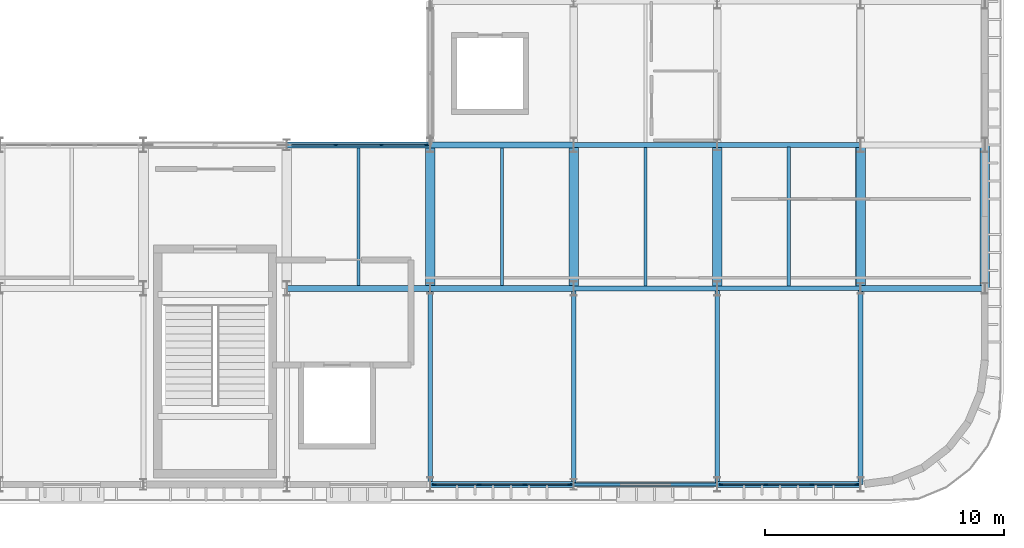
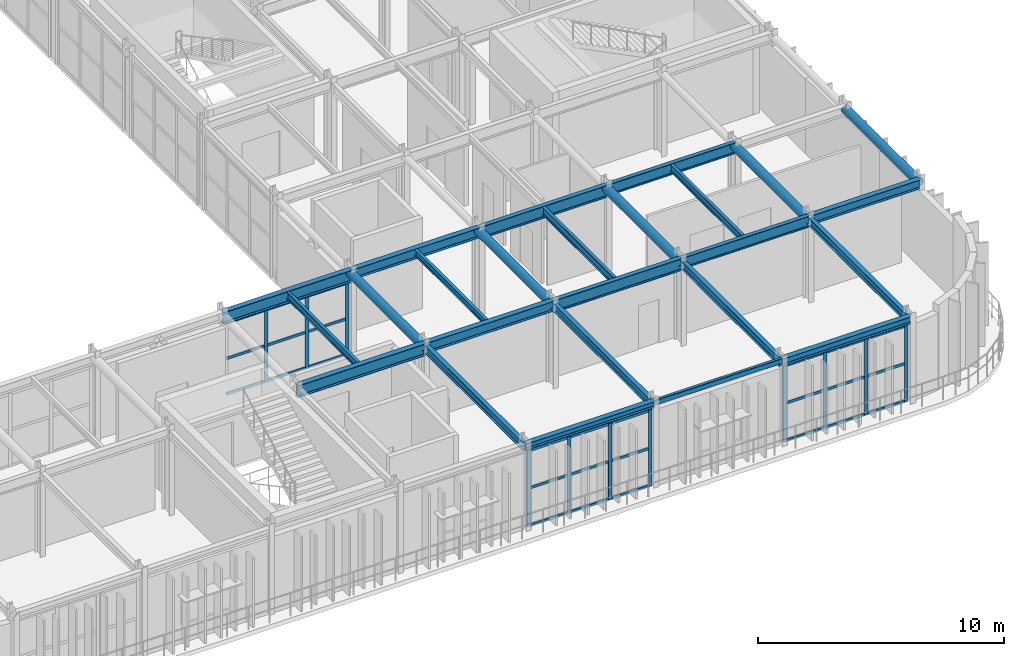
# One storey, part 51 of 96: 38 members, 25 beams, 3 elements without a shape of their own.
"""IFC4 building model written with IfcOpenShell, lengths in metres."""

from ifc_helpers import new_model, si_unit, direction, frame, origin, origin_2d, place, context, subcontext, project, spatial, rectangle, hollow_rectangle, hollow_circle, i_section, extrude, material, material_profile, profile_set, type_object, element, aggregate, save


model = new_model("IFC4")

# Units and contexts
model_context = context("Model", 3, precision=1e-05, world=origin(), true_north=direction((0.0, 1.0)))
body_context = subcontext(model_context, "Body", "Model", "MODEL_VIEW")
ifc_project = project(units=[si_unit("LENGTHUNIT", "METRE"), si_unit("AREAUNIT", "SQUARE_METRE"), si_unit("VOLUMEUNIT", "CUBIC_METRE"), si_unit("PLANEANGLEUNIT", "RADIAN"), si_unit("MASSUNIT", "GRAM", prefix="KILO")], contexts=[model_context])

# Site, building, storey
site_placement = place(None, origin())
site = spatial("IfcSite", under=ifc_project, at=site_placement, CompositionType="ELEMENT")
building_placement = place(site_placement, origin())
building = spatial("IfcBuilding", under=site, at=building_placement, Name="Varnakota Square Police Headquarters", CompositionType="ELEMENT")
storey_placement = place(building_placement, frame((0.0, 0.0, 4.800048828125)))
storey = spatial("IfcBuildingStorey", under=building, at=storey_placement, Name="L01", CompositionType="ELEMENT", Elevation=4.800048828125)

# Beams
ifc_material_1 = material(Name="Steel IS 2062 Grade 350", Category="steel")
ifc_material_profile_1 = material_profile(ifc_material_1, hollow_circle(Radius=0.203125, WallThickness=0.01611328125, at=origin_2d()), Name="CHS 406.4x16.0")
ifc_profile_set_1 = profile_set([ifc_material_profile_1], Name="Steel IS 2062 Grade 350")
beam_type_1 = type_object("IfcBeamType", Name="BM-ARC-CHS406", PredefinedType="BEAM", material=ifc_profile_set_1)
for number, where, z_axis, x_axis, name in (
    (1, (138.0, 9.0, 3.996826171875), (0.0, 1.0, 0.0), (-1.0, 0.0, 0.0), "BMG-L01-1717"),
    (2, (144.0, 9.0, 3.996826171875), (0.0, 1.0, 0.0), (-1.0, 0.0, 0.0), "BMG-L01-1731"),
    (3, (150.0, 9.0, 3.996826171875), (0.0, 1.0, 0.0), (-1.0, 0.0, 0.0), "BMG-L01-1745"),
    (4, (156.0, 9.0, 3.996826171875), (0.0, 1.0, 0.0), (-1.0, 0.0, 0.0), "BMG-L01-1756"),
    (5, (161.199951171875, 9.0, 3.996826171875), (0.0, 1.0, 0.0), (-1.0, 0.0, 0.0), "BMG-L01-1767"),
):
    element("IfcBeam", number, at=place(storey_placement, frame(where, z_axis=z_axis, x_axis=x_axis)), inside=storey, type_object=beam_type_1, Name=name, PredefinedType="BEAM", context=body_context, shape_type="SweptSolid", body=[
        extrude(hollow_circle(Radius=0.203125, WallThickness=0.01611328125, at=origin_2d()), origin(), (0.0, 0.0, 1.0), 6.0),
    ])
ifc_material_profile_2 = material_profile(ifc_material_1, hollow_rectangle(XDim=0.14990234375, YDim=0.25, WallThickness=0.010009765625, InnerFilletRadius=0.010009765625, OuterFilletRadius=0.02001953125, at=origin_2d()), Name="RHS 250x150x10")
ifc_profile_set_2 = profile_set([ifc_material_profile_2], Name="Steel IS 2062 Grade 350")
beam_type_2 = type_object("IfcBeamType", Name="BM-CBEAM-RHS250", PredefinedType="BEAM", material=ifc_profile_set_2)
beam_1_placement = place(storey_placement, frame((144.0, 0.800048828125, 4.074951171875), z_axis=(1.0, 0.0, 0.0), x_axis=(0.0, 1.0, 0.0)))
element("IfcBeam", 6, at=beam_1_placement, inside=storey, type_object=beam_type_2, Name="BMG-L01-1312", PredefinedType="BEAM", context=body_context, shape_type="SweptSolid", body=[
    extrude(hollow_rectangle(XDim=0.14990234375, YDim=0.25, WallThickness=0.010009765625, InnerFilletRadius=0.010009765625, OuterFilletRadius=0.02001953125, at=origin_2d()), origin(), (0.0, 0.0, 1.0), 6.0),
])
ifc_material_profile_3 = material_profile(ifc_material_1, i_section(OverallWidth=0.25, OverallDepth=0.300048828125, WebThickness=0.009521484375, FlangeThickness=0.010498046875, FilletRadius=0.011962890625, at=origin_2d()), Name="ISHB 300")
ifc_profile_set_3 = profile_set([ifc_material_profile_3], Name="Steel IS 2062 Grade 350")
beam_type_3 = type_object("IfcBeamType", Name="BM-ISHB300", PredefinedType="BEAM", material=ifc_profile_set_3)
beam_2_placement = place(storey_placement, frame((138.0, 0.800048828125, 4.050048828125), z_axis=(1.0, 0.0, 0.0), x_axis=(0.0, 1.0, 0.0)))
element("IfcBeam", 7, at=beam_2_placement, inside=storey, type_object=beam_type_3, Name="BMG-L01-1311", PredefinedType="BEAM", context=body_context, shape_type="SweptSolid", body=[
    extrude(i_section(OverallWidth=0.25, OverallDepth=0.300048828125, WebThickness=0.009521484375, FlangeThickness=0.010498046875, FilletRadius=0.011962890625, at=origin_2d()), origin(), (0.0, 0.0, 1.0), 6.0),
])
ifc_material_profile_4 = material_profile(ifc_material_1, i_section(OverallWidth=0.25, OverallDepth=0.35009765625, WebThickness=0.010009765625, FlangeThickness=0.01171875, FilletRadius=0.011962890625, at=origin_2d()), Name="ISHB 350")
ifc_profile_set_4 = profile_set([ifc_material_profile_4], Name="Steel IS 2062 Grade 350")
beam_type_4 = type_object("IfcBeamType", Name="BM-ISHB350", PredefinedType="BEAM", material=ifc_profile_set_4)
beam_3_placement = place(storey_placement, frame((150.0, 0.800048828125, 4.02490234375), z_axis=(1.0, 0.0, 0.0), x_axis=(0.0, 1.0, 0.0)))
element("IfcBeam", 8, at=beam_3_placement, inside=storey, type_object=beam_type_4, Name="BMG-L01-1313", PredefinedType="BEAM", context=body_context, shape_type="SweptSolid", body=[
    extrude(i_section(OverallWidth=0.25, OverallDepth=0.35009765625, WebThickness=0.010009765625, FlangeThickness=0.01171875, FilletRadius=0.011962890625, at=origin_2d()), origin(), (0.0, 0.0, 1.0), 6.0),
])
ifc_material_profile_5 = material_profile(ifc_material_1, i_section(OverallWidth=0.25, OverallDepth=0.449951171875, WebThickness=0.01123046875, FlangeThickness=0.013671875, FilletRadius=0.014892578125, at=origin_2d()), Name="ISHB 450")
ifc_profile_set_5 = profile_set([ifc_material_profile_5], Name="Steel IS 2062 Grade 350")
beam_type_5 = type_object("IfcBeamType", Name="BM-ISHB450", PredefinedType="BEAM", material=ifc_profile_set_5)
beam_4_placement = place(storey_placement, frame((156.0, 9.0, 3.974853515625), z_axis=(1.0, 0.0, 0.0), x_axis=(0.0, 1.0, 0.0)))
element("IfcBeam", 9, at=beam_4_placement, inside=storey, type_object=beam_type_5, Name="BMG-L01-1339", PredefinedType="BEAM", context=body_context, shape_type="SweptSolid", body=[
    extrude(i_section(OverallWidth=0.25, OverallDepth=0.449951171875, WebThickness=0.01123046875, FlangeThickness=0.013671875, FilletRadius=0.014892578125, at=origin_2d()), origin(), (0.0, 0.0, 1.0), 5.199951171875),
])
ifc_material_profile_6 = material_profile(ifc_material_1, i_section(OverallWidth=0.139892578125, OverallDepth=0.300048828125, WebThickness=0.0078125, FlangeThickness=0.01318359375, FilletRadius=0.013916015625, at=origin_2d()), Name="ISMB 300")
ifc_profile_set_6 = profile_set([ifc_material_profile_6], Name="Steel IS 2062 Grade 350")
beam_type_6 = type_object("IfcBeamType", Name="BM-ISMB300", PredefinedType="JOIST", material=ifc_profile_set_6)
beam_5_placement = place(storey_placement, frame((141.0, 9.123046875, 4.050048828125), z_axis=(0.0, 1.0, 0.0), x_axis=(-1.0, 0.0, 0.0)))
element("IfcBeam", 10, at=beam_5_placement, inside=storey, type_object=beam_type_6, Name="BMG-L01-1869", PredefinedType="JOIST", context=body_context, shape_type="SweptSolid", body=[
    extrude(i_section(OverallWidth=0.139892578125, OverallDepth=0.300048828125, WebThickness=0.0078125, FlangeThickness=0.01318359375, FilletRadius=0.013916015625, at=origin_2d()), origin(), (0.0, 0.0, 1.0), 5.75390625),
])
ifc_material_profile_7 = material_profile(ifc_material_1, i_section(OverallWidth=0.139892578125, OverallDepth=0.35009765625, WebThickness=0.008056640625, FlangeThickness=0.01416015625, FilletRadius=0.013916015625, at=origin_2d()), Name="ISMB 350")
ifc_profile_set_7 = profile_set([ifc_material_profile_7], Name="Steel IS 2062 Grade 350")
beam_type_7 = type_object("IfcBeamType", Name="BM-ISMB350", PredefinedType="JOIST", material=ifc_profile_set_7)
beam_6_placement = place(storey_placement, frame((135.0, 9.123046875, 4.02490234375), z_axis=(0.0, 1.0, 0.0), x_axis=(-1.0, 0.0, 0.0)))
element("IfcBeam", 11, at=beam_6_placement, inside=storey, type_object=beam_type_7, Name="BMG-L01-1863", PredefinedType="JOIST", context=body_context, shape_type="SweptSolid", body=[
    extrude(i_section(OverallWidth=0.139892578125, OverallDepth=0.35009765625, WebThickness=0.008056640625, FlangeThickness=0.01416015625, FilletRadius=0.013916015625, at=origin_2d()), origin(), (0.0, 0.0, 1.0), 5.75390625),
])
beam_7_placement = place(storey_placement, frame((153.0, 9.093017578125, 4.02490234375), z_axis=(0.0, 1.0, 0.0), x_axis=(-1.0, 0.0, 0.0)))
element("IfcBeam", 12, at=beam_7_placement, inside=storey, type_object=beam_type_7, Name="BMG-L01-1888", PredefinedType="JOIST", context=body_context, shape_type="SweptSolid", body=[
    extrude(i_section(OverallWidth=0.139892578125, OverallDepth=0.35009765625, WebThickness=0.008056640625, FlangeThickness=0.01416015625, FilletRadius=0.013916015625, at=origin_2d()), origin(), (0.0, 0.0, 1.0), 5.81396484375),
])
ifc_material_profile_8 = material_profile(ifc_material_1, i_section(OverallWidth=0.139892578125, OverallDepth=0.39990234375, WebThickness=0.0087890625, FlangeThickness=0.01611328125, FilletRadius=0.013916015625, at=origin_2d()), Name="ISMB 400")
ifc_profile_set_8 = profile_set([ifc_material_profile_8], Name="Steel IS 2062 Grade 350")
beam_type_8 = type_object("IfcBeamType", Name="BM-ISMB400", PredefinedType="JOIST", material=ifc_profile_set_8)
beam_8_placement = place(storey_placement, frame((147.0, 9.10302734375, 4.0), z_axis=(0.0, 1.0, 0.0), x_axis=(-1.0, 0.0, 0.0)))
element("IfcBeam", 13, at=beam_8_placement, inside=storey, type_object=beam_type_8, Name="BMG-L01-1878", PredefinedType="JOIST", context=body_context, shape_type="SweptSolid", body=[
    extrude(i_section(OverallWidth=0.139892578125, OverallDepth=0.39990234375, WebThickness=0.0087890625, FlangeThickness=0.01611328125, FilletRadius=0.013916015625, at=origin_2d()), origin(), (0.0, 0.0, 1.0), 5.7939453125),
])
ifc_material_profile_9 = material_profile(ifc_material_1, i_section(OverallWidth=0.18994140625, OverallDepth=0.550048828125, WebThickness=0.01123046875, FlangeThickness=0.019287109375, FilletRadius=0.01806640625, at=origin_2d()), Name="ISMB 550")
ifc_profile_set_9 = profile_set([ifc_material_profile_9], Name="Steel IS 2062 Grade 350")
beam_type_9 = type_object("IfcBeamType", Name="BM-ISMB550", PredefinedType="BEAM", material=ifc_profile_set_9)
for number, where, z_axis, x_axis, name in (
    (14, (150.0, 9.0, 3.925048828125), (1.0, 0.0, 0.0), (0.0, 1.0, 0.0), "BMG-L01-1338"),
    (15, (150.0, 15.0, 3.925048828125), (1.0, 0.0, 0.0), (0.0, 1.0, 0.0), "BMG-L01-1353"),
):
    element("IfcBeam", number, at=place(storey_placement, frame(where, z_axis=z_axis, x_axis=x_axis)), inside=storey, type_object=beam_type_9, Name=name, PredefinedType="BEAM", context=body_context, shape_type="SweptSolid", body=[
        extrude(i_section(OverallWidth=0.18994140625, OverallDepth=0.550048828125, WebThickness=0.01123046875, FlangeThickness=0.019287109375, FilletRadius=0.01806640625, at=origin_2d()), origin(), (0.0, 0.0, 1.0), 6.0),
    ])
ifc_material_profile_10 = material_profile(ifc_material_1, i_section(OverallWidth=0.2099609375, OverallDepth=0.60009765625, WebThickness=0.011962890625, FlangeThickness=0.020751953125, FilletRadius=0.02001953125, at=origin_2d()), Name="ISMB 600")
ifc_profile_set_10 = profile_set([ifc_material_profile_10], Name="Steel IS 2062 Grade 350")
beam_type_10 = type_object("IfcBeamType", Name="BM-ISMB600", PredefinedType="BEAM", material=ifc_profile_set_10)
for number, where, z_axis, x_axis, name in (
    (16, (144.0, 9.0, 3.89990234375), (1.0, 0.0, 0.0), (0.0, 1.0, 0.0), "BMG-L01-1337"),
    (17, (144.0, 15.0, 3.89990234375), (1.0, 0.0, 0.0), (0.0, 1.0, 0.0), "BMG-L01-1352"),
):
    element("IfcBeam", number, at=place(storey_placement, frame(where, z_axis=z_axis, x_axis=x_axis)), inside=storey, type_object=beam_type_10, Name=name, PredefinedType="BEAM", context=body_context, shape_type="SweptSolid", body=[
        extrude(i_section(OverallWidth=0.2099609375, OverallDepth=0.60009765625, WebThickness=0.011962890625, FlangeThickness=0.020751953125, FilletRadius=0.02001953125, at=origin_2d()), origin(), (0.0, 0.0, 1.0), 6.0),
    ])
ifc_material_profile_11 = material_profile(ifc_material_1, i_section(OverallWidth=0.199951171875, OverallDepth=0.39990234375, WebThickness=0.008544921875, FlangeThickness=0.012939453125, FilletRadius=0.012939453125, at=origin_2d()), Name="ISWB 400")
ifc_profile_set_11 = profile_set([ifc_material_profile_11], Name="Steel IS 2062 Grade 350")
beam_type_11 = type_object("IfcBeamType", Name="BM-ISWB400", PredefinedType="BEAM", material=ifc_profile_set_11)
for number, where, z_axis, x_axis, name in (
    (18, (138.0, 0.800048828125, 4.0), (0.0, 1.0, 0.0), (-1.0, 0.0, 0.0), "BMG-L01-1716"),
    (19, (144.0, 0.800048828125, 4.0), (0.0, 1.0, 0.0), (-1.0, 0.0, 0.0), "BMG-L01-1730"),
    (20, (150.0, 0.800048828125, 4.0), (0.0, 1.0, 0.0), (-1.0, 0.0, 0.0), "BMG-L01-1744"),
    (21, (156.0, 0.800048828125, 4.0), (0.0, 1.0, 0.0), (-1.0, 0.0, 0.0), "BMG-L01-1755"),
):
    element("IfcBeam", number, at=place(storey_placement, frame(where, z_axis=z_axis, x_axis=x_axis)), inside=storey, type_object=beam_type_11, Name=name, PredefinedType="BEAM", context=body_context, shape_type="SweptSolid", body=[
        extrude(i_section(OverallWidth=0.199951171875, OverallDepth=0.39990234375, WebThickness=0.008544921875, FlangeThickness=0.012939453125, FilletRadius=0.012939453125, at=origin_2d()), origin(), (0.0, 0.0, 1.0), 8.199951171875),
    ])
ifc_material_profile_12 = material_profile(ifc_material_1, i_section(OverallWidth=0.25, OverallDepth=0.5, WebThickness=0.010009765625, FlangeThickness=0.0146484375, FilletRadius=0.014892578125, at=origin_2d()), Name="ISWB 500")
ifc_profile_set_12 = profile_set([ifc_material_profile_12], Name="Steel IS 2062 Grade 350")
beam_type_12 = type_object("IfcBeamType", Name="BM-ISWB500", PredefinedType="BEAM", material=ifc_profile_set_12)
for number, where, z_axis, x_axis, name in (
    (22, (138.0, 9.0, 3.949951171875), (1.0, 0.0, 0.0), (0.0, 1.0, 0.0), "BMG-L01-1336"),
    (23, (138.0, 15.0, 3.949951171875), (1.0, 0.0, 0.0), (0.0, 1.0, 0.0), "BMG-L01-1351"),
):
    element("IfcBeam", number, at=place(storey_placement, frame(where, z_axis=z_axis, x_axis=x_axis)), inside=storey, type_object=beam_type_12, Name=name, PredefinedType="BEAM", context=body_context, shape_type="SweptSolid", body=[
        extrude(i_section(OverallWidth=0.25, OverallDepth=0.5, WebThickness=0.010009765625, FlangeThickness=0.0146484375, FilletRadius=0.014892578125, at=origin_2d()), origin(), (0.0, 0.0, 1.0), 6.0),
    ])
ifc_material_profile_13 = material_profile(ifc_material_1, i_section(OverallWidth=0.25, OverallDepth=0.60009765625, WebThickness=0.01171875, FlangeThickness=0.023681640625, FilletRadius=0.01708984375, at=origin_2d()), Name="ISWB 600")
ifc_profile_set_13 = profile_set([ifc_material_profile_13], Name="Steel IS 2062 Grade 350")
beam_type_13 = type_object("IfcBeamType", Name="BM-ISWB600", PredefinedType="BEAM", material=ifc_profile_set_13)
for number, where, z_axis, x_axis, name in (
    (24, (132.0, 9.0, 3.89990234375), (1.0, 0.0, 0.0), (0.0, 1.0, 0.0), "BMG-L01-1335"),
    (25, (132.0, 15.0, 3.89990234375), (1.0, 0.0, 0.0), (0.0, 1.0, 0.0), "BMG-L01-1350"),
):
    element("IfcBeam", number, at=place(storey_placement, frame(where, z_axis=z_axis, x_axis=x_axis)), inside=storey, type_object=beam_type_13, Name=name, PredefinedType="BEAM", context=body_context, shape_type="SweptSolid", body=[
        extrude(i_section(OverallWidth=0.25, OverallDepth=0.60009765625, WebThickness=0.01171875, FlangeThickness=0.023681640625, FilletRadius=0.01708984375, at=origin_2d()), origin(), (0.0, 0.0, 1.0), 6.0),
    ])

# Curtain wall, members
ifc_material_2 = material(Name="Anodised Aluminium Framing", Category="aluminium")
curtain_wall_type_1 = type_object("IfcCurtainWallType", Name="CW-SYS-B", PredefinedType="NOTDEFINED", material=ifc_material_2)
curtain_wall_1_placement = place(storey_placement, origin())
curtain_wall_1 = element("IfcCurtainWall", 26, at=curtain_wall_1_placement, inside=storey, type_object=curtain_wall_type_1, Name="Unitised curtain wall CWG-L01-056", PredefinedType="NOTDEFINED")
ifc_material_3 = material(Name="Anodised Aluminium 6063-T6", Category="aluminium")
ifc_material_profile_14 = material_profile(ifc_material_3, rectangle(XDim=0.06494140625, YDim=0.159912109375, at=origin_2d()), Name="ALU MULLION 65x160")
ifc_profile_set_14 = profile_set([ifc_material_profile_14], Name="Anodised Aluminium 6063-T6")
member_type_1 = type_object("IfcMemberType", Name="CWM-150", PredefinedType="MULLION", material=ifc_profile_set_14)
member_1_placement = place(storey_placement, frame((138.16259765625, 0.800048828125, 0.0), z_axis=(0.0, 0.0, 1.0), x_axis=(0.0, 1.0, 0.0)))
member_1 = element("IfcMember", 27, at=member_1_placement, type_object=member_type_1, Name="CWG-L01-056 mullion 1", PredefinedType="MULLION", context=body_context, shape_type="SweptSolid", body=[
    extrude(rectangle(XDim=0.06494140625, YDim=0.159912109375, at=origin_2d()), origin(), (0.0, 0.0, 1.0), 3.7900390625),
])
member_2_placement = place(storey_placement, frame((140.043212890625, 0.800048828125, 0.0), z_axis=(0.0, 0.0, 1.0), x_axis=(0.0, 1.0, 0.0)))
member_2 = element("IfcMember", 28, at=member_2_placement, type_object=member_type_1, Name="CWG-L01-056 mullion 2", PredefinedType="MULLION", context=body_context, shape_type="SweptSolid", body=[
    extrude(rectangle(XDim=0.06494140625, YDim=0.159912109375, at=origin_2d()), origin(), (0.0, 0.0, 1.0), 3.7900390625),
])
member_3_placement = place(storey_placement, frame((141.956787109375, 0.800048828125, 0.0), z_axis=(0.0, 0.0, 1.0), x_axis=(0.0, 1.0, 0.0)))
member_3 = element("IfcMember", 29, at=member_3_placement, type_object=member_type_1, Name="CWG-L01-056 mullion 3", PredefinedType="MULLION", context=body_context, shape_type="SweptSolid", body=[
    extrude(rectangle(XDim=0.06494140625, YDim=0.159912109375, at=origin_2d()), origin(), (0.0, 0.0, 1.0), 3.7900390625),
])
member_4_placement = place(storey_placement, frame((143.83740234375, 0.800048828125, 0.0), z_axis=(0.0, 0.0, 1.0), x_axis=(0.0, 1.0, 0.0)))
member_4 = element("IfcMember", 30, at=member_4_placement, type_object=member_type_1, Name="CWG-L01-056 mullion 4", PredefinedType="MULLION", context=body_context, shape_type="SweptSolid", body=[
    extrude(rectangle(XDim=0.06494140625, YDim=0.159912109375, at=origin_2d()), origin(), (0.0, 0.0, 1.0), 3.7900390625),
])

curtain_wall_2_placement = place(storey_placement, origin())
curtain_wall_2 = element("IfcCurtainWall", 31, at=curtain_wall_2_placement, inside=storey, type_object=curtain_wall_type_1, Name="Unitised curtain wall CWG-L01-057", PredefinedType="NOTDEFINED")
member_5_placement = place(storey_placement, frame((150.16259765625, 0.800048828125, 0.0), z_axis=(0.0, 0.0, 1.0), x_axis=(0.0, 1.0, 0.0)))
member_5 = element("IfcMember", 32, at=member_5_placement, type_object=member_type_1, Name="CWG-L01-057 mullion 1", PredefinedType="MULLION", context=body_context, shape_type="SweptSolid", body=[
    extrude(rectangle(XDim=0.06494140625, YDim=0.159912109375, at=origin_2d()), origin(), (0.0, 0.0, 1.0), 3.7900390625),
])
member_6_placement = place(storey_placement, frame((152.043212890625, 0.800048828125, 0.0), z_axis=(0.0, 0.0, 1.0), x_axis=(0.0, 1.0, 0.0)))
member_6 = element("IfcMember", 33, at=member_6_placement, type_object=member_type_1, Name="CWG-L01-057 mullion 2", PredefinedType="MULLION", context=body_context, shape_type="SweptSolid", body=[
    extrude(rectangle(XDim=0.06494140625, YDim=0.159912109375, at=origin_2d()), origin(), (0.0, 0.0, 1.0), 3.7900390625),
])
member_7_placement = place(storey_placement, frame((153.956787109375, 0.800048828125, 0.0), z_axis=(0.0, 0.0, 1.0), x_axis=(0.0, 1.0, 0.0)))
member_7 = element("IfcMember", 34, at=member_7_placement, type_object=member_type_1, Name="CWG-L01-057 mullion 3", PredefinedType="MULLION", context=body_context, shape_type="SweptSolid", body=[
    extrude(rectangle(XDim=0.06494140625, YDim=0.159912109375, at=origin_2d()), origin(), (0.0, 0.0, 1.0), 3.7900390625),
])
member_8_placement = place(storey_placement, frame((155.83740234375, 0.800048828125, 0.0), z_axis=(0.0, 0.0, 1.0), x_axis=(0.0, 1.0, 0.0)))
member_8 = element("IfcMember", 35, at=member_8_placement, type_object=member_type_1, Name="CWG-L01-057 mullion 4", PredefinedType="MULLION", context=body_context, shape_type="SweptSolid", body=[
    extrude(rectangle(XDim=0.06494140625, YDim=0.159912109375, at=origin_2d()), origin(), (0.0, 0.0, 1.0), 3.7900390625),
])

curtain_wall_type_2 = type_object("IfcCurtainWallType", Name="CW-SYS-D", PredefinedType="NOTDEFINED", material=ifc_material_2)
curtain_wall_3_placement = place(storey_placement, origin())
curtain_wall_3 = element("IfcCurtainWall", 36, at=curtain_wall_3_placement, inside=storey, type_object=curtain_wall_type_2, Name="Unitised curtain wall CWG-L01-061", PredefinedType="NOTDEFINED")
member_9_placement = place(storey_placement, frame((134.043212890625, 15.0, 0.0), z_axis=(0.0, 0.0, 1.0), x_axis=(0.0, 1.0, 0.0)))
member_9 = element("IfcMember", 37, at=member_9_placement, type_object=member_type_1, Name="CWG-L01-061 mullion 2", PredefinedType="MULLION", context=body_context, shape_type="SweptSolid", body=[
    extrude(rectangle(XDim=0.06494140625, YDim=0.159912109375, at=origin_2d()), origin(), (0.0, 0.0, 1.0), 3.58984375),
])
member_10_placement = place(storey_placement, frame((135.956787109375, 15.0, 0.0), z_axis=(0.0, 0.0, 1.0), x_axis=(0.0, 1.0, 0.0)))
member_10 = element("IfcMember", 38, at=member_10_placement, type_object=member_type_1, Name="CWG-L01-061 mullion 3", PredefinedType="MULLION", context=body_context, shape_type="SweptSolid", body=[
    extrude(rectangle(XDim=0.06494140625, YDim=0.159912109375, at=origin_2d()), origin(), (0.0, 0.0, 1.0), 3.58984375),
])
member_11_placement = place(storey_placement, frame((137.83740234375, 15.0, 0.0), z_axis=(0.0, 0.0, 1.0), x_axis=(0.0, 1.0, 0.0)))
member_11 = element("IfcMember", 39, at=member_11_placement, type_object=member_type_1, Name="CWG-L01-061 mullion 4", PredefinedType="MULLION", context=body_context, shape_type="SweptSolid", body=[
    extrude(rectangle(XDim=0.06494140625, YDim=0.159912109375, at=origin_2d()), origin(), (0.0, 0.0, 1.0), 3.58984375),
])

# Member
ifc_material_profile_15 = material_profile(ifc_material_3, rectangle(XDim=0.06494140625, YDim=0.1298828125, at=origin_2d()), Name="ALU TRANSOM 65x130")
ifc_profile_set_15 = profile_set([ifc_material_profile_15], Name="Anodised Aluminium 6063-T6")
member_type_2 = type_object("IfcMemberType", Name="CWT-120", PredefinedType="USERDEFINED", material=ifc_profile_set_15)
member_12_placement = place(storey_placement, frame((138.195068359375, 0.800048828125, 0.032470703125), z_axis=(1.0, 0.0, 0.0), x_axis=(0.0, 1.0, 0.0)))
member_12 = element("IfcMember", 40, at=member_12_placement, type_object=member_type_2, Name="CWG-L01-056 transom 1.1", ObjectType="TRANSOM", PredefinedType="USERDEFINED", context=body_context, shape_type="SweptSolid", body=[
    extrude(rectangle(XDim=0.06494140625, YDim=0.1298828125, at=origin_2d()), origin(), (0.0, 0.0, 1.0), 1.815673828125),
])

member_13_placement = place(storey_placement, frame((138.195068359375, 0.800048828125, 1.89501953125), z_axis=(1.0, 0.0, 0.0), x_axis=(0.0, 1.0, 0.0)))
member_13 = element("IfcMember", 41, at=member_13_placement, type_object=member_type_2, Name="CWG-L01-056 transom 1.2", ObjectType="TRANSOM", PredefinedType="USERDEFINED", context=body_context, shape_type="SweptSolid", body=[
    extrude(rectangle(XDim=0.06494140625, YDim=0.1298828125, at=origin_2d()), origin(), (0.0, 0.0, 1.0), 1.815673828125),
])

member_14_placement = place(storey_placement, frame((138.195068359375, 0.800048828125, 3.757568359375), z_axis=(1.0, 0.0, 0.0), x_axis=(0.0, 1.0, 0.0)))
member_14 = element("IfcMember", 42, at=member_14_placement, type_object=member_type_2, Name="CWG-L01-056 transom 1.3", ObjectType="TRANSOM", PredefinedType="USERDEFINED", context=body_context, shape_type="SweptSolid", body=[
    extrude(rectangle(XDim=0.06494140625, YDim=0.1298828125, at=origin_2d()), origin(), (0.0, 0.0, 1.0), 1.815673828125),
])

member_15_placement = place(storey_placement, frame((140.075927734375, 0.800048828125, 0.032470703125), z_axis=(1.0, 0.0, 0.0), x_axis=(0.0, 1.0, 0.0)))
member_15 = element("IfcMember", 43, at=member_15_placement, type_object=member_type_2, Name="CWG-L01-056 transom 2.1", ObjectType="TRANSOM", PredefinedType="USERDEFINED", context=body_context, shape_type="SweptSolid", body=[
    extrude(rectangle(XDim=0.06494140625, YDim=0.1298828125, at=origin_2d()), origin(), (0.0, 0.0, 1.0), 1.84814453125),
])

member_16_placement = place(storey_placement, frame((140.075927734375, 0.800048828125, 1.89501953125), z_axis=(1.0, 0.0, 0.0), x_axis=(0.0, 1.0, 0.0)))
member_16 = element("IfcMember", 44, at=member_16_placement, type_object=member_type_2, Name="CWG-L01-056 transom 2.2", ObjectType="TRANSOM", PredefinedType="USERDEFINED", context=body_context, shape_type="SweptSolid", body=[
    extrude(rectangle(XDim=0.06494140625, YDim=0.1298828125, at=origin_2d()), origin(), (0.0, 0.0, 1.0), 1.84814453125),
])

member_17_placement = place(storey_placement, frame((140.075927734375, 0.800048828125, 3.757568359375), z_axis=(1.0, 0.0, 0.0), x_axis=(0.0, 1.0, 0.0)))
member_17 = element("IfcMember", 45, at=member_17_placement, type_object=member_type_2, Name="CWG-L01-056 transom 2.3", ObjectType="TRANSOM", PredefinedType="USERDEFINED", context=body_context, shape_type="SweptSolid", body=[
    extrude(rectangle(XDim=0.06494140625, YDim=0.1298828125, at=origin_2d()), origin(), (0.0, 0.0, 1.0), 1.84814453125),
])

member_18_placement = place(storey_placement, frame((141.9892578125, 0.800048828125, 0.032470703125), z_axis=(1.0, 0.0, 0.0), x_axis=(0.0, 1.0, 0.0)))
member_18 = element("IfcMember", 46, at=member_18_placement, type_object=member_type_2, Name="CWG-L01-056 transom 3.1", ObjectType="TRANSOM", PredefinedType="USERDEFINED", context=body_context, shape_type="SweptSolid", body=[
    extrude(rectangle(XDim=0.06494140625, YDim=0.1298828125, at=origin_2d()), origin(), (0.0, 0.0, 1.0), 1.815673828125),
])

member_19_placement = place(storey_placement, frame((141.9892578125, 0.800048828125, 1.89501953125), z_axis=(1.0, 0.0, 0.0), x_axis=(0.0, 1.0, 0.0)))
member_19 = element("IfcMember", 47, at=member_19_placement, type_object=member_type_2, Name="CWG-L01-056 transom 3.2", ObjectType="TRANSOM", PredefinedType="USERDEFINED", context=body_context, shape_type="SweptSolid", body=[
    extrude(rectangle(XDim=0.06494140625, YDim=0.1298828125, at=origin_2d()), origin(), (0.0, 0.0, 1.0), 1.815673828125),
])

member_20_placement = place(storey_placement, frame((141.9892578125, 0.800048828125, 3.757568359375), z_axis=(1.0, 0.0, 0.0), x_axis=(0.0, 1.0, 0.0)))
member_20 = element("IfcMember", 48, at=member_20_placement, type_object=member_type_2, Name="CWG-L01-056 transom 3.3", ObjectType="TRANSOM", PredefinedType="USERDEFINED", context=body_context, shape_type="SweptSolid", body=[
    extrude(rectangle(XDim=0.06494140625, YDim=0.1298828125, at=origin_2d()), origin(), (0.0, 0.0, 1.0), 1.815673828125),
])

aggregate(curtain_wall_1, [member_1, member_2, member_3, member_4, member_12, member_13, member_14, member_15, member_16, member_17, member_18, member_19, member_20])

member_21_placement = place(storey_placement, frame((150.195068359375, 0.800048828125, 0.032470703125), z_axis=(1.0, 0.0, 0.0), x_axis=(0.0, 1.0, 0.0)))
member_21 = element("IfcMember", 49, at=member_21_placement, type_object=member_type_2, Name="CWG-L01-057 transom 1.1", ObjectType="TRANSOM", PredefinedType="USERDEFINED", context=body_context, shape_type="SweptSolid", body=[
    extrude(rectangle(XDim=0.06494140625, YDim=0.1298828125, at=origin_2d()), origin(), (0.0, 0.0, 1.0), 1.815673828125),
])

member_22_placement = place(storey_placement, frame((150.195068359375, 0.800048828125, 1.89501953125), z_axis=(1.0, 0.0, 0.0), x_axis=(0.0, 1.0, 0.0)))
member_22 = element("IfcMember", 50, at=member_22_placement, type_object=member_type_2, Name="CWG-L01-057 transom 1.2", ObjectType="TRANSOM", PredefinedType="USERDEFINED", context=body_context, shape_type="SweptSolid", body=[
    extrude(rectangle(XDim=0.06494140625, YDim=0.1298828125, at=origin_2d()), origin(), (0.0, 0.0, 1.0), 1.815673828125),
])

member_23_placement = place(storey_placement, frame((150.195068359375, 0.800048828125, 3.757568359375), z_axis=(1.0, 0.0, 0.0), x_axis=(0.0, 1.0, 0.0)))
member_23 = element("IfcMember", 51, at=member_23_placement, type_object=member_type_2, Name="CWG-L01-057 transom 1.3", ObjectType="TRANSOM", PredefinedType="USERDEFINED", context=body_context, shape_type="SweptSolid", body=[
    extrude(rectangle(XDim=0.06494140625, YDim=0.1298828125, at=origin_2d()), origin(), (0.0, 0.0, 1.0), 1.815673828125),
])

member_24_placement = place(storey_placement, frame((152.075927734375, 0.800048828125, 0.032470703125), z_axis=(1.0, 0.0, 0.0), x_axis=(0.0, 1.0, 0.0)))
member_24 = element("IfcMember", 52, at=member_24_placement, type_object=member_type_2, Name="CWG-L01-057 transom 2.1", ObjectType="TRANSOM", PredefinedType="USERDEFINED", context=body_context, shape_type="SweptSolid", body=[
    extrude(rectangle(XDim=0.06494140625, YDim=0.1298828125, at=origin_2d()), origin(), (0.0, 0.0, 1.0), 1.84814453125),
])

member_25_placement = place(storey_placement, frame((152.075927734375, 0.800048828125, 1.89501953125), z_axis=(1.0, 0.0, 0.0), x_axis=(0.0, 1.0, 0.0)))
member_25 = element("IfcMember", 53, at=member_25_placement, type_object=member_type_2, Name="CWG-L01-057 transom 2.2", ObjectType="TRANSOM", PredefinedType="USERDEFINED", context=body_context, shape_type="SweptSolid", body=[
    extrude(rectangle(XDim=0.06494140625, YDim=0.1298828125, at=origin_2d()), origin(), (0.0, 0.0, 1.0), 1.84814453125),
])

member_26_placement = place(storey_placement, frame((152.075927734375, 0.800048828125, 3.757568359375), z_axis=(1.0, 0.0, 0.0), x_axis=(0.0, 1.0, 0.0)))
member_26 = element("IfcMember", 54, at=member_26_placement, type_object=member_type_2, Name="CWG-L01-057 transom 2.3", ObjectType="TRANSOM", PredefinedType="USERDEFINED", context=body_context, shape_type="SweptSolid", body=[
    extrude(rectangle(XDim=0.06494140625, YDim=0.1298828125, at=origin_2d()), origin(), (0.0, 0.0, 1.0), 1.84814453125),
])

member_27_placement = place(storey_placement, frame((153.9892578125, 0.800048828125, 0.032470703125), z_axis=(1.0, 0.0, 0.0), x_axis=(0.0, 1.0, 0.0)))
member_27 = element("IfcMember", 55, at=member_27_placement, type_object=member_type_2, Name="CWG-L01-057 transom 3.1", ObjectType="TRANSOM", PredefinedType="USERDEFINED", context=body_context, shape_type="SweptSolid", body=[
    extrude(rectangle(XDim=0.06494140625, YDim=0.1298828125, at=origin_2d()), origin(), (0.0, 0.0, 1.0), 1.815673828125),
])

member_28_placement = place(storey_placement, frame((153.9892578125, 0.800048828125, 1.89501953125), z_axis=(1.0, 0.0, 0.0), x_axis=(0.0, 1.0, 0.0)))
member_28 = element("IfcMember", 56, at=member_28_placement, type_object=member_type_2, Name="CWG-L01-057 transom 3.2", ObjectType="TRANSOM", PredefinedType="USERDEFINED", context=body_context, shape_type="SweptSolid", body=[
    extrude(rectangle(XDim=0.06494140625, YDim=0.1298828125, at=origin_2d()), origin(), (0.0, 0.0, 1.0), 1.815673828125),
])

member_29_placement = place(storey_placement, frame((153.9892578125, 0.800048828125, 3.757568359375), z_axis=(1.0, 0.0, 0.0), x_axis=(0.0, 1.0, 0.0)))
member_29 = element("IfcMember", 57, at=member_29_placement, type_object=member_type_2, Name="CWG-L01-057 transom 3.3", ObjectType="TRANSOM", PredefinedType="USERDEFINED", context=body_context, shape_type="SweptSolid", body=[
    extrude(rectangle(XDim=0.06494140625, YDim=0.1298828125, at=origin_2d()), origin(), (0.0, 0.0, 1.0), 1.815673828125),
])

aggregate(curtain_wall_2, [member_5, member_6, member_7, member_8, member_21, member_22, member_23, member_24, member_25, member_26, member_27, member_28, member_29])

member_30_placement = place(storey_placement, frame((132.195068359375, 15.0, 0.032470703125), z_axis=(1.0, 0.0, 0.0), x_axis=(0.0, 1.0, 0.0)))
member_30 = element("IfcMember", 58, at=member_30_placement, type_object=member_type_2, Name="CWG-L01-061 transom 1.1", ObjectType="TRANSOM", PredefinedType="USERDEFINED", context=body_context, shape_type="SweptSolid", body=[
    extrude(rectangle(XDim=0.06494140625, YDim=0.1298828125, at=origin_2d()), origin(), (0.0, 0.0, 1.0), 1.815673828125),
])

member_31_placement = place(storey_placement, frame((132.195068359375, 15.0, 1.794921875), z_axis=(1.0, 0.0, 0.0), x_axis=(0.0, 1.0, 0.0)))
member_31 = element("IfcMember", 59, at=member_31_placement, type_object=member_type_2, Name="CWG-L01-061 transom 1.2", ObjectType="TRANSOM", PredefinedType="USERDEFINED", context=body_context, shape_type="SweptSolid", body=[
    extrude(rectangle(XDim=0.06494140625, YDim=0.1298828125, at=origin_2d()), origin(), (0.0, 0.0, 1.0), 1.815673828125),
])

member_32_placement = place(storey_placement, frame((132.195068359375, 15.0, 3.557373046875), z_axis=(1.0, 0.0, 0.0), x_axis=(0.0, 1.0, 0.0)))
member_32 = element("IfcMember", 60, at=member_32_placement, type_object=member_type_2, Name="CWG-L01-061 transom 1.3", ObjectType="TRANSOM", PredefinedType="USERDEFINED", context=body_context, shape_type="SweptSolid", body=[
    extrude(rectangle(XDim=0.06494140625, YDim=0.1298828125, at=origin_2d()), origin(), (0.0, 0.0, 1.0), 1.815673828125),
])

member_33_placement = place(storey_placement, frame((134.075927734375, 15.0, 0.032470703125), z_axis=(1.0, 0.0, 0.0), x_axis=(0.0, 1.0, 0.0)))
member_33 = element("IfcMember", 61, at=member_33_placement, type_object=member_type_2, Name="CWG-L01-061 transom 2.1", ObjectType="TRANSOM", PredefinedType="USERDEFINED", context=body_context, shape_type="SweptSolid", body=[
    extrude(rectangle(XDim=0.06494140625, YDim=0.1298828125, at=origin_2d()), origin(), (0.0, 0.0, 1.0), 1.84814453125),
])

member_34_placement = place(storey_placement, frame((134.075927734375, 15.0, 1.794921875), z_axis=(1.0, 0.0, 0.0), x_axis=(0.0, 1.0, 0.0)))
member_34 = element("IfcMember", 62, at=member_34_placement, type_object=member_type_2, Name="CWG-L01-061 transom 2.2", ObjectType="TRANSOM", PredefinedType="USERDEFINED", context=body_context, shape_type="SweptSolid", body=[
    extrude(rectangle(XDim=0.06494140625, YDim=0.1298828125, at=origin_2d()), origin(), (0.0, 0.0, 1.0), 1.84814453125),
])

member_35_placement = place(storey_placement, frame((134.075927734375, 15.0, 3.557373046875), z_axis=(1.0, 0.0, 0.0), x_axis=(0.0, 1.0, 0.0)))
member_35 = element("IfcMember", 63, at=member_35_placement, type_object=member_type_2, Name="CWG-L01-061 transom 2.3", ObjectType="TRANSOM", PredefinedType="USERDEFINED", context=body_context, shape_type="SweptSolid", body=[
    extrude(rectangle(XDim=0.06494140625, YDim=0.1298828125, at=origin_2d()), origin(), (0.0, 0.0, 1.0), 1.84814453125),
])

member_36_placement = place(storey_placement, frame((135.9892578125, 15.0, 0.032470703125), z_axis=(1.0, 0.0, 0.0), x_axis=(0.0, 1.0, 0.0)))
member_36 = element("IfcMember", 64, at=member_36_placement, type_object=member_type_2, Name="CWG-L01-061 transom 3.1", ObjectType="TRANSOM", PredefinedType="USERDEFINED", context=body_context, shape_type="SweptSolid", body=[
    extrude(rectangle(XDim=0.06494140625, YDim=0.1298828125, at=origin_2d()), origin(), (0.0, 0.0, 1.0), 1.815673828125),
])

member_37_placement = place(storey_placement, frame((135.9892578125, 15.0, 1.794921875), z_axis=(1.0, 0.0, 0.0), x_axis=(0.0, 1.0, 0.0)))
member_37 = element("IfcMember", 65, at=member_37_placement, type_object=member_type_2, Name="CWG-L01-061 transom 3.2", ObjectType="TRANSOM", PredefinedType="USERDEFINED", context=body_context, shape_type="SweptSolid", body=[
    extrude(rectangle(XDim=0.06494140625, YDim=0.1298828125, at=origin_2d()), origin(), (0.0, 0.0, 1.0), 1.815673828125),
])

member_38_placement = place(storey_placement, frame((135.9892578125, 15.0, 3.557373046875), z_axis=(1.0, 0.0, 0.0), x_axis=(0.0, 1.0, 0.0)))
member_38 = element("IfcMember", 66, at=member_38_placement, type_object=member_type_2, Name="CWG-L01-061 transom 3.3", ObjectType="TRANSOM", PredefinedType="USERDEFINED", context=body_context, shape_type="SweptSolid", body=[
    extrude(rectangle(XDim=0.06494140625, YDim=0.1298828125, at=origin_2d()), origin(), (0.0, 0.0, 1.0), 1.815673828125),
])

aggregate(curtain_wall_3, [member_9, member_10, member_11, member_30, member_31, member_32, member_33, member_34, member_35, member_36, member_37, member_38])

save(model, "model.ifc")
